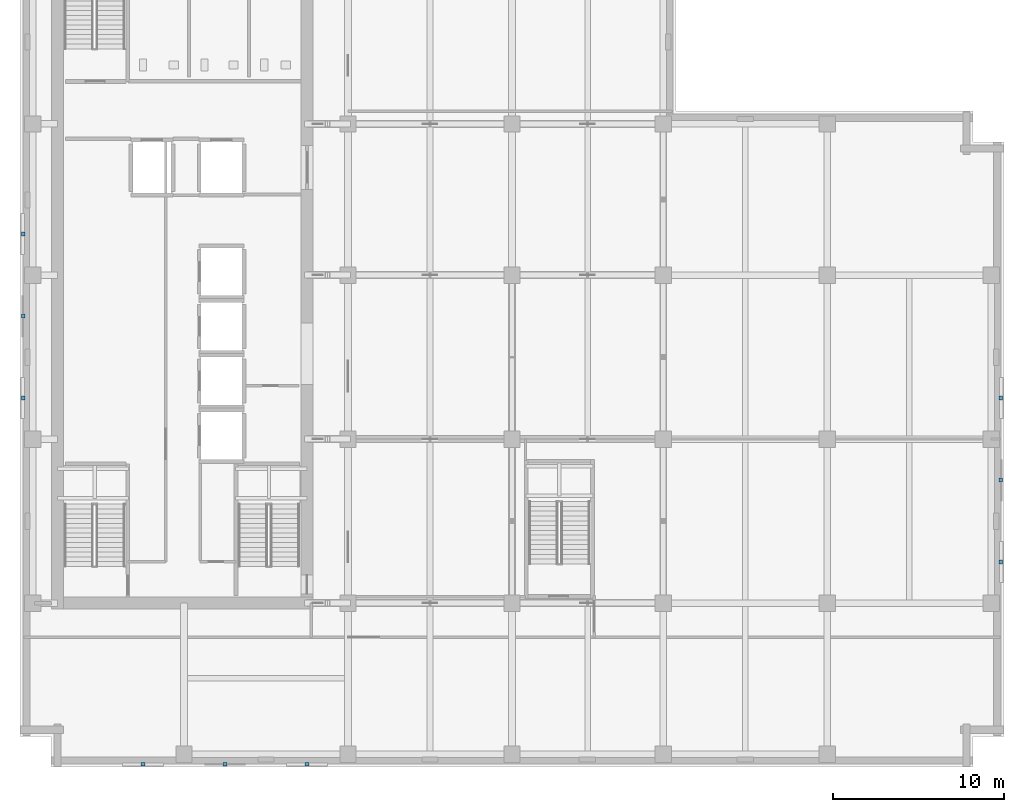
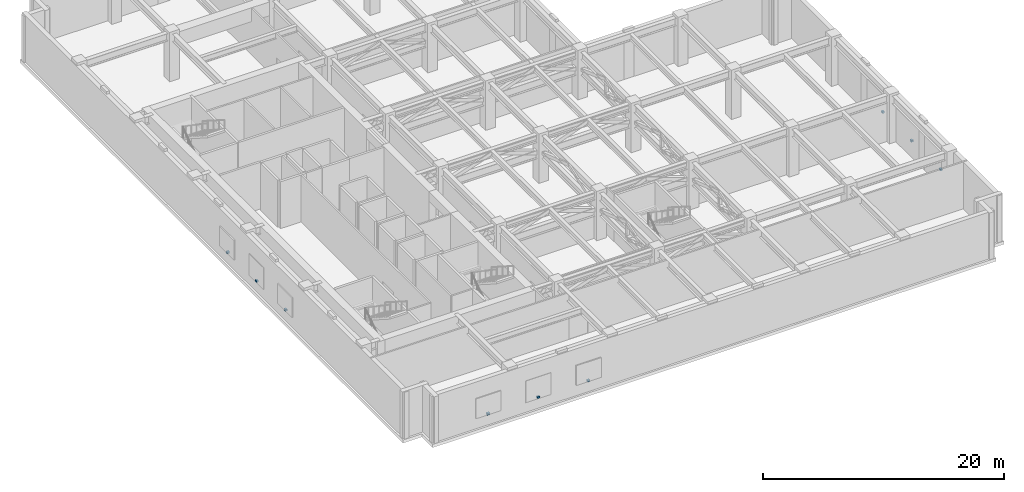
# One storey, part 16 of 21: 9 discrete accessories.
"""IFC4 building model written with IfcOpenShell, lengths in metres."""

from ifc_helpers import new_model, si_unit, direction, frame, origin, origin_2d, place, context, subcontext, project, spatial, rectangle, extrude, material, type_object, element, save


model = new_model("IFC4")

# Units and contexts
model_context = context("Model", 3, precision=1e-05, world=origin(), true_north=direction((0.0, 1.0)))
body_context = subcontext(model_context, "Body", "Model", "MODEL_VIEW")
ifc_project = project(units=[si_unit("LENGTHUNIT", "METRE"), si_unit("AREAUNIT", "SQUARE_METRE"), si_unit("VOLUMEUNIT", "CUBIC_METRE"), si_unit("PLANEANGLEUNIT", "RADIAN"), si_unit("MASSUNIT", "GRAM", prefix="KILO")], contexts=[model_context])

# Site, building, storey
site_placement = place(None, origin())
site = spatial("IfcSite", under=ifc_project, at=site_placement, CompositionType="ELEMENT")
building_placement = place(site_placement, origin())
building = spatial("IfcBuilding", under=site, at=building_placement, Name="Norrvale University Quadrangle", CompositionType="ELEMENT")
storey_placement = place(building_placement, frame((0.0, 0.0, 194.0)))
storey = spatial("IfcBuildingStorey", under=building, at=storey_placement, Name="L49", CompositionType="ELEMENT", Elevation=194.0)

# Discrete accessories
ifc_material = material(Name="Stainless Steel 316L", Category="steel")
discrete_accessory_type = type_object("IfcDiscreteAccessoryType", Name="Accessory Stainless Bracket", PredefinedType="BRACKET", material=ifc_material)
for number, where, z_axis, x_axis, name in (
    (1, (7.199951171875, 0.179931640625, 1.06005859375), (0.0, 0.0, 1.0), (1.0, 0.0, 0.0), "Stainless Facade Shelf Bracket 012"),
    (2, (12.0, 0.179931640625, 1.06005859375), (0.0, 0.0, 1.0), (1.0, 0.0, 0.0), "Stainless Facade Shelf Bracket 013"),
    (3, (16.800048828125, 0.179931640625, 1.06005859375), (0.0, 0.0, 1.0), (1.0, 0.0, 0.0), "Stainless Facade Shelf Bracket 014"),
    (4, (57.419921875, 12.0, 1.06005859375), (0.0, 0.0, 1.0), (0.0, 1.0, 0.0), "Stainless Facade Shelf Bracket 015"),
    (5, (57.419921875, 16.800048828125, 1.06005859375), (0.0, 0.0, 1.0), (0.0, 1.0, 0.0), "Stainless Facade Shelf Bracket 016"),
    (6, (57.419921875, 21.60009765625, 1.06005859375), (0.0, 0.0, 1.0), (0.0, 1.0, 0.0), "Stainless Facade Shelf Bracket 017"),
    (7, (0.179931640625, 31.199951171875, 1.06005859375), (0.0, 0.0, 1.0), (0.0, -1.0, 0.0), "Stainless Facade Shelf Bracket 020"),
    (8, (0.179931640625, 26.39990234375, 1.06005859375), (0.0, 0.0, 1.0), (0.0, -1.0, 0.0), "Stainless Facade Shelf Bracket 021"),
    (9, (0.179931640625, 21.60009765625, 1.06005859375), (0.0, 0.0, 1.0), (0.0, -1.0, 0.0), "Stainless Facade Shelf Bracket 022"),
):
    element("IfcDiscreteAccessory", number, at=place(storey_placement, frame(where, z_axis=z_axis, x_axis=x_axis)), inside=storey, type_object=discrete_accessory_type, Name=name, PredefinedType="BRACKET", context=body_context, shape_type="SweptSolid", body=[
        extrude(rectangle(XDim=0.239990234375, YDim=0.199951171875, at=origin_2d()), origin(), (0.0, 0.0, 1.0), 0.179931640625),
    ])

save(model, "model.ifc")
